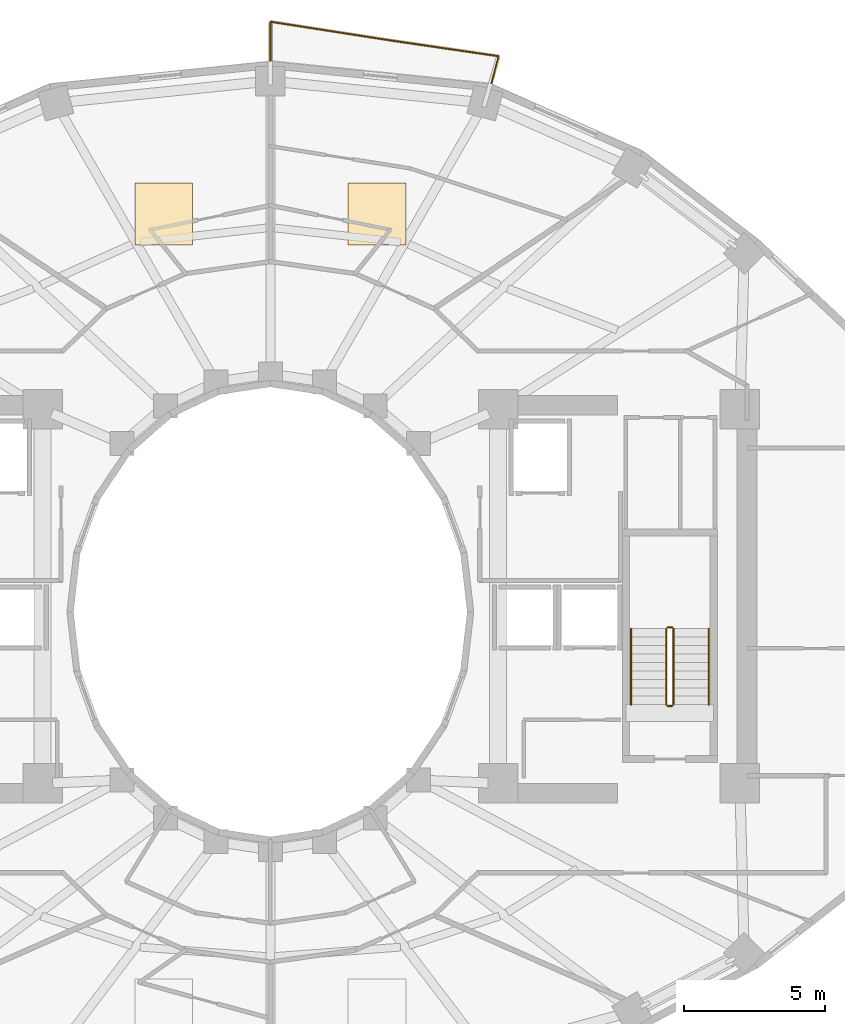
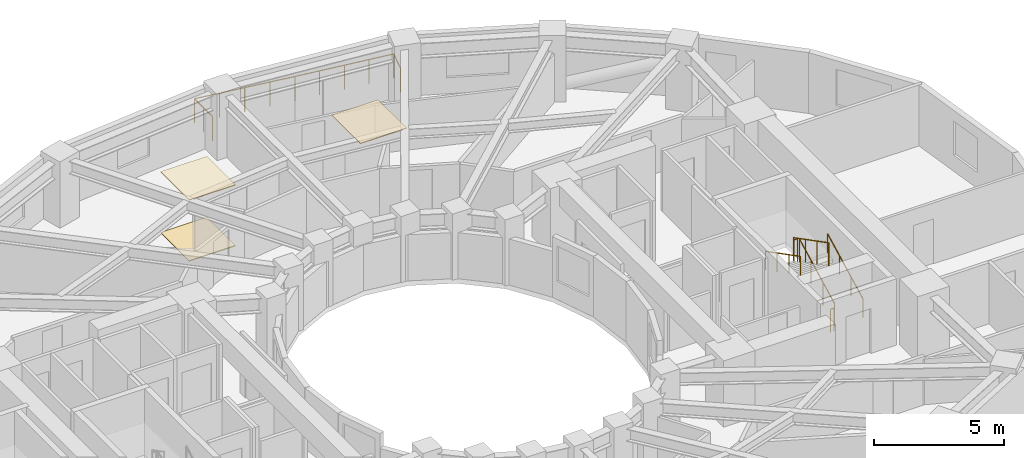
# One storey, part 9 of 9: 7 railings, 3 coverings.
"""IFC4 building model written with IfcOpenShell, lengths in metres."""

from ifc_helpers import new_model, si_unit, direction, frame, origin, origin_2d, place, context, subcontext, project, spatial, polyline, circle, outline, extrude, material, layer, layer_set, type_object, element, save


model = new_model("IFC4")

# Units and contexts
model_context = context("Model", 3, precision=1e-05, world=origin(), true_north=direction((0.0, 1.0)))
body_context = subcontext(model_context, "Body", "Model", "MODEL_VIEW")
ifc_project = project(units=[si_unit("LENGTHUNIT", "METRE"), si_unit("AREAUNIT", "SQUARE_METRE"), si_unit("VOLUMEUNIT", "CUBIC_METRE"), si_unit("PLANEANGLEUNIT", "RADIAN"), si_unit("MASSUNIT", "GRAM", prefix="KILO")], contexts=[model_context])

# Site, building, storey
site_placement = place(None, origin())
site = spatial("IfcSite", under=ifc_project, at=site_placement, CompositionType="ELEMENT")
building_placement = place(site_placement, origin())
building = spatial("IfcBuilding", under=site, at=building_placement, Name="Solvane Sanctuary Tower", CompositionType="ELEMENT")
storey_placement = place(building_placement, frame((0.0, 0.0, 116.60009765625)))
storey = spatial("IfcBuildingStorey", under=building, at=storey_placement, Name="L35", CompositionType="ELEMENT", Elevation=116.60009765625)

# Coverings
ifc_material_1 = material(Name="Acoustic Gypsum Partition Board")
ifc_layer_1 = layer(ifc_material_1, 0.02490234375, Name="Acoustic Gypsum Partition Board")
ifc_layer_set_1 = layer_set([ifc_layer_1], Name="Acoustic Gypsum Partition Board")
covering_type_1 = type_object("IfcCoveringType", Name="Covering CLG-ACOUST", PredefinedType="CEILING", material=ifc_layer_set_1)
covering_1_placement = place(storey_placement, frame((0.0, 0.0, 2.849853515625)))
element("IfcCovering", 1, at=covering_1_placement, inside=storey, type_object=covering_type_1, Name="L35 Unit Acoustic Ceiling Panel 1", PredefinedType="CEILING", context=body_context, shape_type="SweptSolid", body=[
    extrude(outline(polyline([(34.76708984375, 36.051025390625), (36.81689453125, 36.051025390625), (36.81689453125, 38.2509765625), (34.76708984375, 38.2509765625), (34.76708984375, 36.051025390625)])), origin(), (0.0, 0.0, 1.0), 0.030029296875),
])
covering_2_placement = place(storey_placement, frame((0.0, 0.0, 2.849853515625)))
element("IfcCovering", 2, at=covering_2_placement, inside=storey, type_object=covering_type_1, Name="L35 Unit Acoustic Ceiling Panel 2", PredefinedType="CEILING", context=body_context, shape_type="SweptSolid", body=[
    extrude(outline(polyline([(27.18310546875, 36.051025390625), (29.23291015625, 36.051025390625), (29.23291015625, 38.2509765625), (27.18310546875, 38.2509765625), (27.18310546875, 36.051025390625)])), origin(), (0.0, 0.0, 1.0), 0.030029296875),
])
ifc_material_2 = material(Name="Ceramic Tile Finish")
ifc_layer_2 = layer(ifc_material_2, 0.030029296875, Name="Ceramic Tile Finish")
ifc_layer_set_2 = layer_set([ifc_layer_2], Name="Ceramic Tile Finish")
covering_type_2 = type_object("IfcCoveringType", Name="Covering FLR-TERRAZZO", PredefinedType="FLOORING", material=ifc_layer_set_2)
covering_3_placement = place(storey_placement, origin())
element("IfcCovering", 3, at=covering_3_placement, inside=storey, type_object=covering_type_2, Name="L35 Unit Terrazzo Inlay 2", PredefinedType="FLOORING", context=body_context, shape_type="SweptSolid", body=[
    extrude(outline(polyline([(27.18310546875, 36.051025390625), (29.23291015625, 36.051025390625), (29.23291015625, 38.2509765625), (27.18310546875, 38.2509765625), (27.18310546875, 36.051025390625)])), origin(), (0.0, 0.0, 1.0), 0.034912109375),
])

# Railings
ifc_material_3 = material(Name="Architectural Stainless Steel 316", Category="steel")
railing_type_1 = type_object("IfcRailingType", Name="Railing GR-BALC-1150", PredefinedType="BALUSTRADE", material=ifc_material_3)
railing_1_placement = place(storey_placement, frame((39.861328125, 41.795166015625, 0.0)))
element("IfcRailing", 4, at=railing_1_placement, inside=storey, type_object=railing_type_1, Name="L35 Wave Balcony Balustrade NC", PredefinedType="BALUSTRADE", context=body_context, shape_type="SweptSolid", body=[
    extrude(circle(Radius=0.02392578125, at=origin_2d()), frame((0.0, 0.0, 1.1259765625), z_axis=(0.258923119641, 0.965897933591, 0.0), x_axis=(-0.965897933591, 0.258923119641, 0.0)), (0.0, 0.0, 1.0), 1.00048828125),
    extrude(circle(Radius=0.02392578125, at=origin_2d()), frame((0.259033203125, 0.96630859375, 1.1259765625), z_axis=(-0.98945416367, 0.144846325447, 0.0), x_axis=(-0.144846325447, -0.98945416367, 0.0)), (0.0, 0.0, 1.0), 4.08056640625),
    extrude(circle(Radius=0.02392578125, at=origin_2d()), frame((-3.778564453125, 1.557373046875, 1.1259765625), z_axis=(-0.98802976875, 0.154263333505, 0.0), x_axis=(-0.154263333505, -0.98802976875, 0.0)), (0.0, 0.0, 1.0), 4.13232421875),
    extrude(circle(Radius=0.02392578125, at=origin_2d()), frame((-7.861328125, 2.19482421875, 1.1259765625), z_axis=(0.0, -1.0, 0.0), x_axis=(1.0, 0.0, 0.0)), (0.0, 0.0, 1.0), 1.389892578125),
    extrude(circle(Radius=0.02099609375, at=origin_2d()), origin(), (0.0, 0.0, 1.0), 1.101806640625),
    extrude(circle(Radius=0.02099609375, at=origin_2d()), frame((0.259033203125, 0.96630859375, 0.0)), (0.0, 0.0, 1.0), 1.101806640625),
    extrude(circle(Radius=0.02099609375, at=origin_2d()), frame((-0.75048828125, 1.114013671875, 0.0)), (0.0, 0.0, 1.0), 1.101806640625),
    extrude(circle(Radius=0.02099609375, at=origin_2d()), frame((-1.759765625, 1.26171875, 0.0)), (0.0, 0.0, 1.0), 1.101806640625),
    extrude(circle(Radius=0.02099609375, at=origin_2d()), frame((-2.76904296875, 1.40966796875, 0.0)), (0.0, 0.0, 1.0), 1.101806640625),
    extrude(circle(Radius=0.02099609375, at=origin_2d()), frame((-3.778564453125, 1.557373046875, 0.0)), (0.0, 0.0, 1.0), 1.101806640625),
    extrude(circle(Radius=0.02099609375, at=origin_2d()), frame((-4.79931640625, 1.716796875, 0.0)), (0.0, 0.0, 1.0), 1.101806640625),
    extrude(circle(Radius=0.02099609375, at=origin_2d()), frame((-5.81982421875, 1.8759765625, 0.0)), (0.0, 0.0, 1.0), 1.101806640625),
    extrude(circle(Radius=0.02099609375, at=origin_2d()), frame((-6.840576171875, 2.035400390625, 0.0)), (0.0, 0.0, 1.0), 1.101806640625),
    extrude(circle(Radius=0.02099609375, at=origin_2d()), frame((-7.861328125, 2.19482421875, 0.0)), (0.0, 0.0, 1.0), 1.101806640625),
    extrude(circle(Radius=0.02099609375, at=origin_2d()), frame((-7.861328125, 1.5, 0.0)), (0.0, 0.0, 1.0), 1.101806640625),
    extrude(circle(Radius=0.02099609375, at=origin_2d()), frame((-7.861328125, 0.804931640625, 0.0)), (0.0, 0.0, 1.0), 1.101806640625),
])
railing_2_placement = place(storey_placement, frame((46.340087890625, 19.699951171875, 0.15478515625)))
element("IfcRailing", 5, at=railing_2_placement, inside=storey, type_object=railing_type_1, Name="L35 ST-2 stair guard 1", PredefinedType="BALUSTRADE", context=body_context, shape_type="SweptSolid", body=[
    extrude(circle(Radius=0.02392578125, at=origin_2d()), frame((0.0, 0.0, 1.076171875), z_axis=(0.0, 0.888419900624, 0.459031676658), x_axis=(-1.0, 0.0, 0.0)), (0.0, 0.0, 1.0), 3.0390625),
    extrude(circle(Radius=0.02099609375, at=origin_2d()), origin(), (0.0, 0.0, 1.0), 1.052001953125),
    extrude(circle(Radius=0.02099609375, at=origin_2d()), frame((0.0, 0.89990234375, 0.465087890625)), (0.0, 0.0, 1.0), 1.052001953125),
    extrude(circle(Radius=0.02099609375, at=origin_2d()), frame((0.0, 1.800048828125, 0.929931640625)), (0.0, 0.0, 1.0), 1.052001953125),
    extrude(circle(Radius=0.02099609375, at=origin_2d()), frame((0.0, 2.699951171875, 1.39501953125)), (0.0, 0.0, 1.0), 1.052001953125),
])
railing_3_placement = place(storey_placement, frame((46.2900390625, 22.449951171875, 1.5498046875)))
element("IfcRailing", 6, at=railing_3_placement, inside=storey, type_object=railing_type_1, Name="L35 ST-2 stair guard 2", PredefinedType="BALUSTRADE", context=body_context, shape_type="SweptSolid", body=[
    extrude(circle(Radius=0.02392578125, at=origin_2d()), frame((0.0, 0.0, 1.076171875), z_axis=(-1.0, 0.0, 0.0), x_axis=(0.0, -1.0, 0.0)), (0.0, 0.0, 1.0), 0.16015625),
    extrude(circle(Radius=0.02099609375, at=origin_2d()), origin(), (0.0, 0.0, 1.0), 1.052001953125),
    extrude(circle(Radius=0.02099609375, at=origin_2d()), frame((-0.16015625, 0.0, 0.0)), (0.0, 0.0, 1.0), 1.052001953125),
])
railing_4_placement = place(storey_placement, frame((46.080078125, 22.39990234375, 1.704833984375)))
element("IfcRailing", 7, at=railing_4_placement, inside=storey, type_object=railing_type_1, Name="L35 ST-2 stair guard 3", PredefinedType="BALUSTRADE", context=body_context, shape_type="SweptSolid", body=[
    extrude(circle(Radius=0.02392578125, at=origin_2d()), frame((0.0, 0.0, 1.076171875), z_axis=(0.0, -0.888419900624, 0.459031676658), x_axis=(1.0, 0.0, 0.0)), (0.0, 0.0, 1.0), 3.0390625),
    extrude(circle(Radius=0.02099609375, at=origin_2d()), origin(), (0.0, 0.0, 1.0), 1.052001953125),
    extrude(circle(Radius=0.02099609375, at=origin_2d()), frame((0.0, -0.89990234375, 0.465087890625)), (0.0, 0.0, 1.0), 1.052001953125),
    extrude(circle(Radius=0.02099609375, at=origin_2d()), frame((0.0, -1.800048828125, 0.929931640625)), (0.0, 0.0, 1.0), 1.052001953125),
    extrude(circle(Radius=0.02099609375, at=origin_2d()), frame((0.0, -2.699951171875, 1.39501953125)), (0.0, 0.0, 1.0), 1.052001953125),
])
railing_5_placement = place(storey_placement, frame((46.2900390625, 19.64990234375, 0.0)))
element("IfcRailing", 8, at=railing_5_placement, inside=storey, type_object=railing_type_1, Name="L35 ST-2 stair guard 4", PredefinedType="BALUSTRADE", context=body_context, shape_type="SweptSolid", body=[
    extrude(circle(Radius=0.02392578125, at=origin_2d()), frame((0.0, 0.0, 1.076171875), z_axis=(-1.0, 0.0, 0.0), x_axis=(0.0, -1.0, 0.0)), (0.0, 0.0, 1.0), 0.16015625),
    extrude(circle(Radius=0.02099609375, at=origin_2d()), origin(), (0.0, 0.0, 1.0), 1.052001953125),
    extrude(circle(Radius=0.02099609375, at=origin_2d()), frame((-0.16015625, 0.0, 0.0)), (0.0, 0.0, 1.0), 1.052001953125),
])
railing_type_2 = type_object("IfcRailingType", Name="Railing HR-STAIR-920", PredefinedType="HANDRAIL", material=ifc_material_3)
railing_6_placement = place(storey_placement, frame((47.590087890625, 19.699951171875, 0.15478515625)))
element("IfcRailing", 9, at=railing_6_placement, inside=storey, type_object=railing_type_2, Name="L35 ST-2 stair handrail 1", PredefinedType="HANDRAIL", context=body_context, shape_type="SweptSolid", body=[
    extrude(circle(Radius=0.02392578125, at=origin_2d()), frame((0.0, 0.0, 0.8759765625), z_axis=(0.0, 0.888419900624, 0.459031676658), x_axis=(-1.0, 0.0, 0.0)), (0.0, 0.0, 1.0), 3.0390625),
    extrude(circle(Radius=0.02099609375, at=origin_2d()), origin(), (0.0, 0.0, 1.0), 0.851806640625),
    extrude(circle(Radius=0.02099609375, at=origin_2d()), frame((0.0, 0.89990234375, 0.465087890625)), (0.0, 0.0, 1.0), 0.851806640625),
    extrude(circle(Radius=0.02099609375, at=origin_2d()), frame((0.0, 1.800048828125, 0.929931640625)), (0.0, 0.0, 1.0), 0.851806640625),
    extrude(circle(Radius=0.02099609375, at=origin_2d()), frame((0.0, 2.699951171875, 1.39501953125)), (0.0, 0.0, 1.0), 0.851806640625),
])
railing_7_placement = place(storey_placement, frame((44.830078125, 22.39990234375, 1.704833984375)))
element("IfcRailing", 10, at=railing_7_placement, inside=storey, type_object=railing_type_2, Name="L35 ST-2 stair handrail 2", PredefinedType="HANDRAIL", context=body_context, shape_type="SweptSolid", body=[
    extrude(circle(Radius=0.02392578125, at=origin_2d()), frame((0.0, 0.0, 0.8759765625), z_axis=(0.0, -0.888419900624, 0.459031676658), x_axis=(1.0, 0.0, 0.0)), (0.0, 0.0, 1.0), 3.0390625),
    extrude(circle(Radius=0.02099609375, at=origin_2d()), origin(), (0.0, 0.0, 1.0), 0.851806640625),
    extrude(circle(Radius=0.02099609375, at=origin_2d()), frame((0.0, -0.89990234375, 0.465087890625)), (0.0, 0.0, 1.0), 0.851806640625),
    extrude(circle(Radius=0.02099609375, at=origin_2d()), frame((0.0, -1.800048828125, 0.929931640625)), (0.0, 0.0, 1.0), 0.851806640625),
    extrude(circle(Radius=0.02099609375, at=origin_2d()), frame((0.0, -2.699951171875, 1.39501953125)), (0.0, 0.0, 1.0), 0.851806640625),
])

save(model, "model.ifc")
